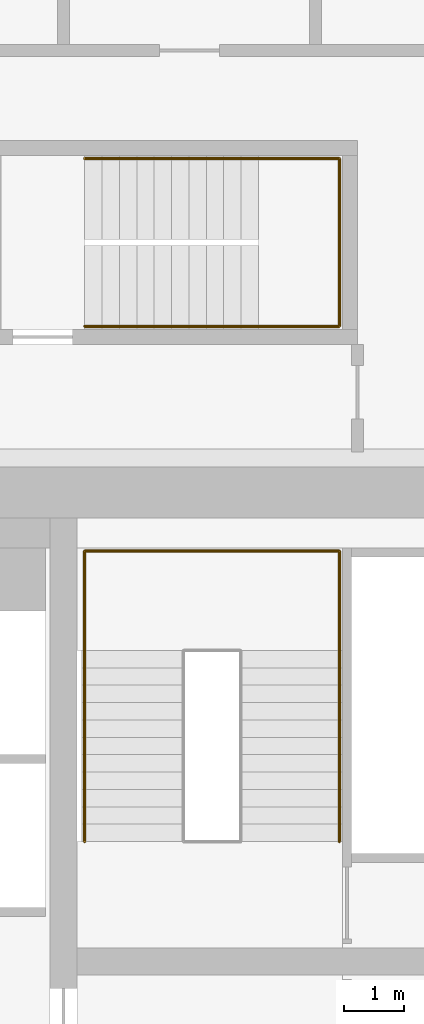
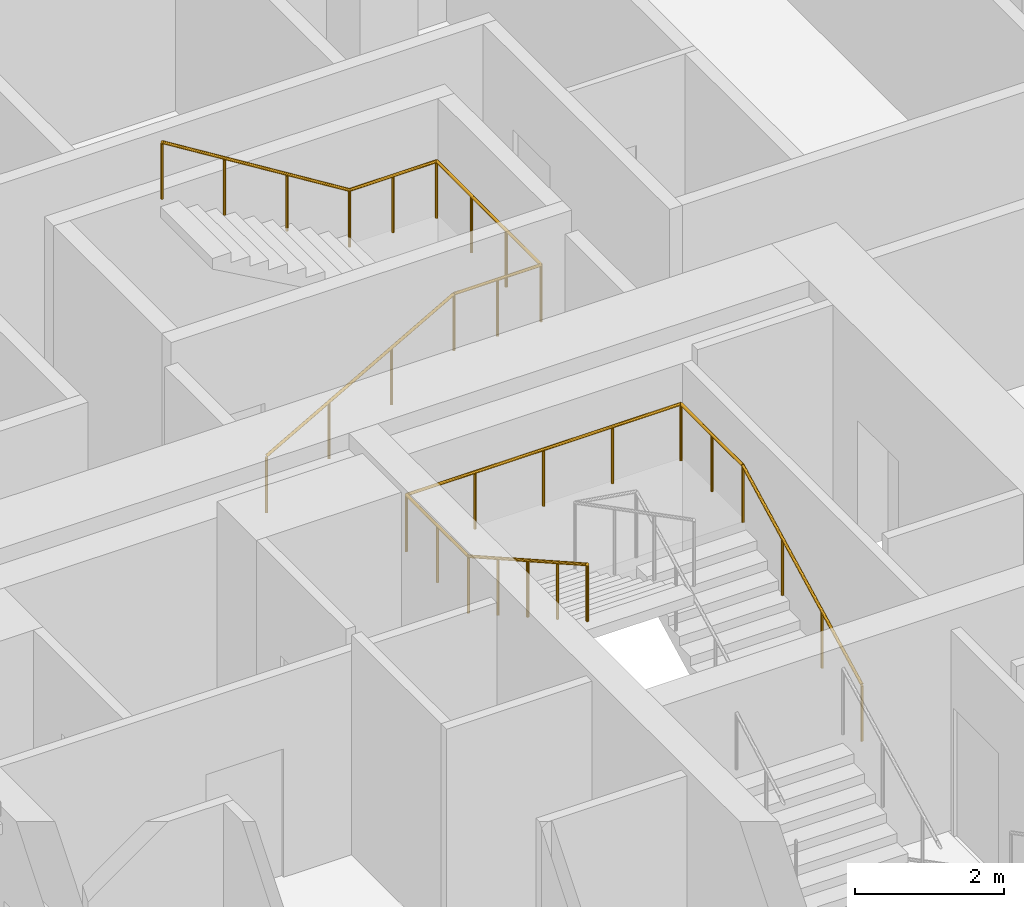
# One storey, part 36 of 36: 2 railings.
"""IFC4 building model written with IfcOpenShell, lengths in metres."""

from ifc_helpers import new_model, si_unit, direction, frame, origin, origin_2d, place, context, subcontext, project, spatial, circle, extrude, material, type_object, element, save


model = new_model("IFC4")

# Units and contexts
model_context = context("Model", 3, precision=1e-05, world=origin(), true_north=direction((0.0, 1.0)))
body_context = subcontext(model_context, "Body", "Model", "MODEL_VIEW")
ifc_project = project(units=[si_unit("LENGTHUNIT", "METRE"), si_unit("AREAUNIT", "SQUARE_METRE"), si_unit("VOLUMEUNIT", "CUBIC_METRE"), si_unit("PLANEANGLEUNIT", "RADIAN"), si_unit("MASSUNIT", "GRAM", prefix="KILO")], contexts=[model_context])

# Site, building, storey
site_placement = place(None, origin())
site = spatial("IfcSite", under=ifc_project, at=site_placement, CompositionType="ELEMENT")
building_placement = place(site_placement, origin())
building = spatial("IfcBuilding", under=site, at=building_placement, Name="Marenta Gate Hotel Tower", CompositionType="ELEMENT")
storey_placement = place(building_placement, frame((0.0, 0.0, 130.10009765625)))
storey = spatial("IfcBuildingStorey", under=building, at=storey_placement, Name="L29", CompositionType="ELEMENT", Elevation=130.10009765625)

# Railings
ifc_material = material(Name="Stainless steel", Category="steel")
railing_type = type_object("IfcRailingType", Name="Core stair handrail 950", PredefinedType="HANDRAIL", material=ifc_material)
railing_1_placement = place(storey_placement, frame((8.800048828125, 10.39990234375, 0.14990234375)))
element("IfcRailing", 1, at=railing_1_placement, inside=storey, type_object=railing_type, Name="HR-950 L29-KR-ST4-1", PredefinedType="HANDRAIL", context=body_context, shape_type="SweptSolid", body=[
    extrude(circle(Radius=0.02392578125, at=origin_2d()), frame((0.0, 0.0, 0.92578125), z_axis=(0.0, 0.888239641807, 0.459380385653), x_axis=(-1.0, 0.0, 0.0)), (0.0, 0.0, 1.0), 3.591552734375),
    extrude(circle(Radius=0.02392578125, at=origin_2d()), frame((0.0, 3.190185546875, 2.57568359375), z_axis=(0.0, 1.0, 0.0), x_axis=(-1.0, 0.0, 0.0)), (0.0, 0.0, 1.0), 1.659912109375),
    extrude(circle(Radius=0.02392578125, at=origin_2d()), frame((0.0, 4.85009765625, 2.57568359375), z_axis=(-1.0, 0.0, 0.0), x_axis=(0.0, -1.0, 0.0)), (0.0, 0.0, 1.0), 4.25),
    extrude(circle(Radius=0.02392578125, at=origin_2d()), frame((-4.25, 4.85009765625, 2.57568359375), z_axis=(0.0, -1.0, 0.0), x_axis=(1.0, 0.0, 0.0)), (0.0, 0.0, 1.0), 1.659912109375),
    extrude(circle(Radius=0.02392578125, at=origin_2d()), frame((-4.25, 3.190185546875, 2.57568359375), z_axis=(0.0, -0.870925075533, 0.491415824742), x_axis=(1.0, 0.0, 0.0)), (0.0, 0.0, 1.0), 3.6630859375),
    extrude(circle(Radius=0.02099609375, at=origin_2d()), origin(), (0.0, 0.0, 1.0), 0.90185546875),
    extrude(circle(Radius=0.02099609375, at=origin_2d()), frame((0.0, 1.0634765625, 0.550048828125)), (0.0, 0.0, 1.0), 0.90185546875),
    extrude(circle(Radius=0.02099609375, at=origin_2d()), frame((0.0, 2.126708984375, 1.099853515625)), (0.0, 0.0, 1.0), 0.90185546875),
    extrude(circle(Radius=0.02099609375, at=origin_2d()), frame((0.0, 3.190185546875, 1.64990234375)), (0.0, 0.0, 1.0), 0.90185546875),
    extrude(circle(Radius=0.02099609375, at=origin_2d()), frame((0.0, 4.02001953125, 1.64990234375)), (0.0, 0.0, 1.0), 0.90185546875),
    extrude(circle(Radius=0.02099609375, at=origin_2d()), frame((0.0, 4.85009765625, 1.64990234375)), (0.0, 0.0, 1.0), 0.90185546875),
    extrude(circle(Radius=0.02099609375, at=origin_2d()), frame((-1.0625, 4.85009765625, 1.64990234375)), (0.0, 0.0, 1.0), 0.90185546875),
    extrude(circle(Radius=0.02099609375, at=origin_2d()), frame((-2.125, 4.85009765625, 1.64990234375)), (0.0, 0.0, 1.0), 0.90185546875),
    extrude(circle(Radius=0.02099609375, at=origin_2d()), frame((-3.1875, 4.85009765625, 1.64990234375)), (0.0, 0.0, 1.0), 0.90185546875),
    extrude(circle(Radius=0.02099609375, at=origin_2d()), frame((-4.25, 4.85009765625, 1.64990234375)), (0.0, 0.0, 1.0), 0.90185546875),
    extrude(circle(Radius=0.02099609375, at=origin_2d()), frame((-4.25, 4.02001953125, 1.64990234375)), (0.0, 0.0, 1.0), 0.90185546875),
    extrude(circle(Radius=0.02099609375, at=origin_2d()), frame((-4.25, 3.190185546875, 1.64990234375)), (0.0, 0.0, 1.0), 0.90185546875),
    extrude(circle(Radius=0.02099609375, at=origin_2d()), frame((-4.25, 2.392578125, 2.099853515625)), (0.0, 0.0, 1.0), 0.90185546875),
    extrude(circle(Radius=0.02099609375, at=origin_2d()), frame((-4.25, 1.59521484375, 2.5498046875)), (0.0, 0.0, 1.0), 0.90185546875),
    extrude(circle(Radius=0.02099609375, at=origin_2d()), frame((-4.25, 0.797607421875, 3.0)), (0.0, 0.0, 1.0), 0.90185546875),
    extrude(circle(Radius=0.02099609375, at=origin_2d()), frame((-4.25, 0.0, 3.449951171875)), (0.0, 0.0, 1.0), 0.90185546875),
])
railing_2_placement = place(storey_placement, frame((4.550048828125, 19.0, 0.16357421875)))
element("IfcRailing", 2, at=railing_2_placement, inside=storey, type_object=railing_type, Name="HR-950 L29-RS-Z2-4-KR-1", PredefinedType="HANDRAIL", context=body_context, shape_type="SweptSolid", body=[
    extrude(circle(Radius=0.02392578125, at=origin_2d()), frame((0.0, 0.0, 0.92578125), z_axis=(0.870928581787, 0.0, 0.491409610636), x_axis=(0.0, 1.0, 0.0)), (0.0, 0.0, 1.0), 3.32958984375),
    extrude(circle(Radius=0.02392578125, at=origin_2d()), frame((2.89990234375, 0.0, 2.56201171875), z_axis=(1.0, 0.0, 0.0), x_axis=(0.0, 1.0, 0.0)), (0.0, 0.0, 1.0), 1.35009765625),
    extrude(circle(Radius=0.02392578125, at=origin_2d()), frame((4.25, 0.0, 2.56201171875), z_axis=(0.0, 1.0, 0.0), x_axis=(-1.0, 0.0, 0.0)), (0.0, 0.0, 1.0), 2.800048828125),
    extrude(circle(Radius=0.02392578125, at=origin_2d()), frame((4.25, 2.800048828125, 2.56201171875), z_axis=(-1.0, 0.0, 0.0), x_axis=(0.0, -1.0, 0.0)), (0.0, 0.0, 1.0), 1.35009765625),
    extrude(circle(Radius=0.02392578125, at=origin_2d()), frame((2.89990234375, 2.800048828125, 2.56201171875), z_axis=(-0.849625798611, 0.0, 0.527386008853), x_axis=(0.0, -1.0, 0.0)), (0.0, 0.0, 1.0), 3.4130859375),
    extrude(circle(Radius=0.02099609375, at=origin_2d()), origin(), (0.0, 0.0, 1.0), 0.90185546875),
    extrude(circle(Radius=0.02099609375, at=origin_2d()), frame((0.966552734375, 0.0, 0.54541015625)), (0.0, 0.0, 1.0), 0.90185546875),
    extrude(circle(Radius=0.02099609375, at=origin_2d()), frame((1.933349609375, 0.0, 1.0908203125)), (0.0, 0.0, 1.0), 0.90185546875),
    extrude(circle(Radius=0.02099609375, at=origin_2d()), frame((2.89990234375, 0.0, 1.63623046875)), (0.0, 0.0, 1.0), 0.90185546875),
    extrude(circle(Radius=0.02099609375, at=origin_2d()), frame((3.574951171875, 0.0, 1.63623046875)), (0.0, 0.0, 1.0), 0.90185546875),
    extrude(circle(Radius=0.02099609375, at=origin_2d()), frame((4.25, 0.0, 1.63623046875)), (0.0, 0.0, 1.0), 0.90185546875),
    extrude(circle(Radius=0.02099609375, at=origin_2d()), frame((4.25, 0.933349609375, 1.63623046875)), (0.0, 0.0, 1.0), 0.90185546875),
    extrude(circle(Radius=0.02099609375, at=origin_2d()), frame((4.25, 1.86669921875, 1.63623046875)), (0.0, 0.0, 1.0), 0.90185546875),
    extrude(circle(Radius=0.02099609375, at=origin_2d()), frame((4.25, 2.800048828125, 1.63623046875)), (0.0, 0.0, 1.0), 0.90185546875),
    extrude(circle(Radius=0.02099609375, at=origin_2d()), frame((3.574951171875, 2.800048828125, 1.63623046875)), (0.0, 0.0, 1.0), 0.90185546875),
    extrude(circle(Radius=0.02099609375, at=origin_2d()), frame((2.89990234375, 2.800048828125, 1.63623046875)), (0.0, 0.0, 1.0), 0.90185546875),
    extrude(circle(Radius=0.02099609375, at=origin_2d()), frame((1.933349609375, 2.800048828125, 2.236328125)), (0.0, 0.0, 1.0), 0.90185546875),
    extrude(circle(Radius=0.02099609375, at=origin_2d()), frame((0.966552734375, 2.800048828125, 2.836181640625)), (0.0, 0.0, 1.0), 0.90185546875),
    extrude(circle(Radius=0.02099609375, at=origin_2d()), frame((0.0, 2.800048828125, 3.436279296875)), (0.0, 0.0, 1.0), 0.90185546875),
])

save(model, "model.ifc")
